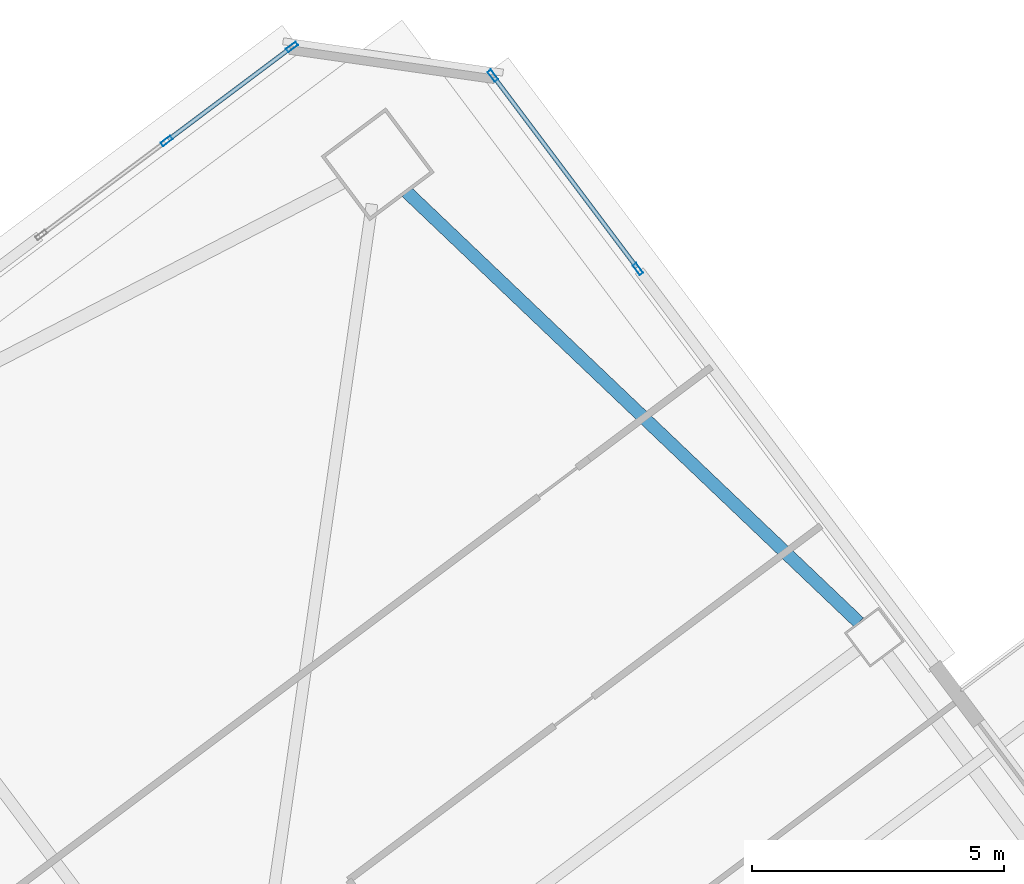
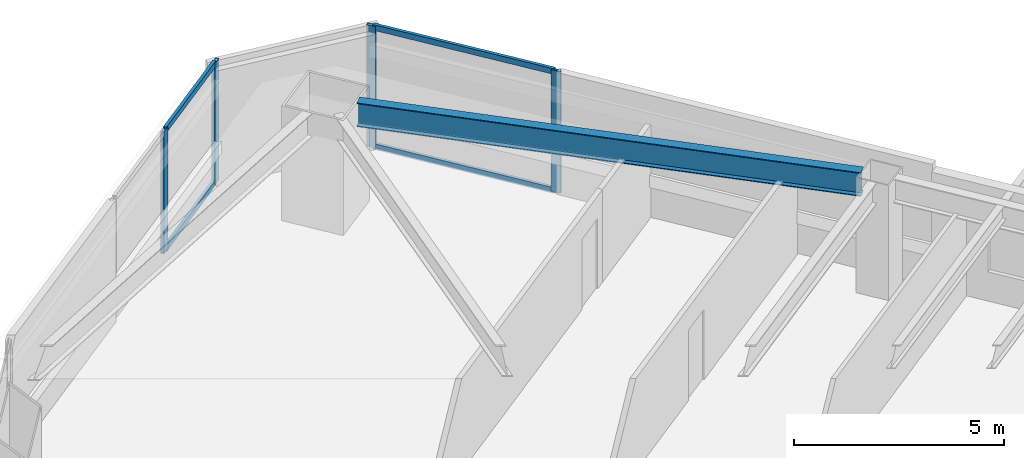
# One storey, part 32 of 47: 8 members, 1 beam, 2 elements without a shape of their own.
"""IFC4 building model written with IfcOpenShell, lengths in metres."""

from ifc_helpers import new_model, si_unit, direction, frame, origin, origin_2d, place, context, subcontext, project, spatial, hollow_rectangle, i_section, extrude, material, material_profile, profile_set, type_object, element, aggregate, save


model = new_model("IFC4")

# Units and contexts
model_context = context("Model", 3, precision=1e-05, world=origin(), true_north=direction((0.0, 1.0)))
body_context = subcontext(model_context, "Body", "Model", "MODEL_VIEW")
ifc_project = project(units=[si_unit("LENGTHUNIT", "METRE"), si_unit("AREAUNIT", "SQUARE_METRE"), si_unit("VOLUMEUNIT", "CUBIC_METRE"), si_unit("PLANEANGLEUNIT", "RADIAN"), si_unit("MASSUNIT", "GRAM", prefix="KILO")], contexts=[model_context])

# Site, building, storey
site_placement = place(None, origin())
site = spatial("IfcSite", under=ifc_project, at=site_placement, CompositionType="ELEMENT")
building_placement = place(site_placement, origin())
building = spatial("IfcBuilding", under=site, at=building_placement, Name="Tashvorn Skyway Center", CompositionType="ELEMENT")
storey_placement = place(building_placement, frame((0.0, 0.0, 42.35009765625)))
storey = spatial("IfcBuildingStorey", under=building, at=storey_placement, Name="L10", CompositionType="ELEMENT", Elevation=42.35009765625)

# Beam
ifc_material_1 = material(Name="Steel ASTM A992 Grade 50", Category="steel")
ifc_material_profile_1 = material_profile(ifc_material_1, i_section(OverallWidth=0.256103515625, OverallDepth=0.693115234375, WebThickness=0.014404296875, FlangeThickness=0.023681640625, at=origin_2d()), Name="W27X114")
ifc_profile_set_1 = profile_set([ifc_material_profile_1], Name="Steel ASTM A992 Grade 50")
beam_type = type_object("IfcBeamType", Name="BM-SPANDREL-W27X114", PredefinedType="SPANDREL", material=ifc_profile_set_1)
beam_placement = place(storey_placement, frame((127.2958984375, 49.23974609375, 3.00341796875), z_axis=(-0.724200339835, 0.689589637236, 0.0), x_axis=(-0.689589637236, -0.724200339835, 0.0)))
element("IfcBeam", 1, at=beam_placement, inside=storey, type_object=beam_type, Name="Tower 2 L10 Spandrel Beam 06", PredefinedType="SPANDREL", context=body_context, shape_type="SweptSolid", body=[
    extrude(i_section(OverallWidth=0.256103515625, OverallDepth=0.693115234375, WebThickness=0.014404296875, FlangeThickness=0.023681640625, at=origin_2d()), origin(), (0.0, 0.0, 1.0), 12.37255859375),
])

# Curtain wall, members
ifc_material_2 = material(Name="Thermally broken bronze-anodized aluminium 6063-T6", Category="aluminium")
curtain_wall_type = type_object("IfcCurtainWallType", Name="CW-CW-Z1", PredefinedType="NOTDEFINED", material=ifc_material_2)
curtain_wall_1_placement = place(storey_placement, origin())
curtain_wall_1 = element("IfcCurtainWall", 2, at=curtain_wall_1_placement, inside=storey, type_object=curtain_wall_type, Name="Tower 2 L10 North Unitised Curtain Wall Glazing Group 3", PredefinedType="NOTDEFINED")
ifc_material_profile_2 = material_profile(ifc_material_2, hollow_rectangle(XDim=0.0849609375, YDim=0.239990234375, WallThickness=0.0048828125, at=origin_2d()), Name="ALU-MULL-85x240")
ifc_profile_set_2 = profile_set([ifc_material_profile_2], Name="Thermally broken bronze-anodized aluminium 6063-T6")
member_type_1 = type_object("IfcMemberType", Name="CWM-CW-Z1", PredefinedType="MULLION", material=ifc_profile_set_2)
member_1_placement = place(storey_placement, frame((113.57861328125, 58.783935546875, 0.0), z_axis=(0.0, 0.0, 1.0), x_axis=(-0.599997457641, 0.800001906763, 0.0)))
member_1 = element("IfcMember", 3, at=member_1_placement, type_object=member_type_1, Name="CW-Z1 mullion 2", PredefinedType="MULLION", context=body_context, shape_type="SweptSolid", body=[
    extrude(hollow_rectangle(XDim=0.0849609375, YDim=0.239990234375, WallThickness=0.0048828125, at=origin_2d()), origin(), (0.0, 0.0, 1.0), 3.5498046875),
])
member_2_placement = place(storey_placement, frame((116.06201171875, 60.646484375, 0.0), z_axis=(0.0, 0.0, 1.0), x_axis=(-0.599997457641, 0.800001906763, 0.0)))
member_2 = element("IfcMember", 4, at=member_2_placement, type_object=member_type_1, Name="CW-Z1 mullion 3", PredefinedType="MULLION", context=body_context, shape_type="SweptSolid", body=[
    extrude(hollow_rectangle(XDim=0.0849609375, YDim=0.239990234375, WallThickness=0.0048828125, at=origin_2d()), origin(), (0.0, 0.0, 1.0), 3.5498046875),
])

curtain_wall_2_placement = place(storey_placement, origin())
curtain_wall_2 = element("IfcCurtainWall", 5, at=curtain_wall_2_placement, inside=storey, type_object=curtain_wall_type, Name="Tower 2 L10 East Curtain Wall L Glazing Group 1", PredefinedType="NOTDEFINED")
member_3_placement = place(storey_placement, frame((120.04150390625, 60.077880859375, 0.0), z_axis=(0.0, 0.0, 1.0), x_axis=(0.799997539287, 0.600003280937, 0.0)))
member_3 = element("IfcMember", 6, at=member_3_placement, type_object=member_type_1, Name="CW-Z1 mullion 1", PredefinedType="MULLION", context=body_context, shape_type="SweptSolid", body=[
    extrude(hollow_rectangle(XDim=0.0849609375, YDim=0.239990234375, WallThickness=0.0048828125, at=origin_2d()), origin(), (0.0, 0.0, 1.0), 3.5498046875),
])
member_4_placement = place(storey_placement, frame((122.91650390625, 56.24462890625, 0.0), z_axis=(0.0, 0.0, 1.0), x_axis=(0.799997539287, 0.600003280937, 0.0)))
member_4 = element("IfcMember", 7, at=member_4_placement, type_object=member_type_1, Name="CW-Z1 mullion 2", PredefinedType="MULLION", context=body_context, shape_type="SweptSolid", body=[
    extrude(hollow_rectangle(XDim=0.0849609375, YDim=0.239990234375, WallThickness=0.0048828125, at=origin_2d()), origin(), (0.0, 0.0, 1.0), 3.5498046875),
])

# Member
ifc_material_profile_3 = material_profile(ifc_material_2, hollow_rectangle(XDim=0.0849609375, YDim=0.1650390625, WallThickness=0.0048828125, at=origin_2d()), Name="ALU-TRAN-85x165")
ifc_profile_set_3 = profile_set([ifc_material_profile_3], Name="Thermally broken bronze-anodized aluminium 6063-T6")
member_type_2 = type_object("IfcMemberType", Name="CWT-CW-Z1", PredefinedType="USERDEFINED", material=ifc_profile_set_3)
member_5_placement = place(storey_placement, frame((113.612548828125, 58.8095703125, 0.04248046875), z_axis=(0.800019405753, 0.599974124791, 0.0), x_axis=(-0.599974124791, 0.800019405753, 0.0)))
member_5 = element("IfcMember", 8, at=member_5_placement, type_object=member_type_2, Name="CW-Z1 transom 2.1", ObjectType="TRANSOM", PredefinedType="USERDEFINED", context=body_context, shape_type="SweptSolid", body=[
    extrude(hollow_rectangle(XDim=0.0849609375, YDim=0.1650390625, WallThickness=0.0048828125, at=origin_2d()), origin(), (0.0, 0.0, 1.0), 3.019287109375),
])

member_6_placement = place(storey_placement, frame((113.612548828125, 58.8095703125, 3.50732421875), z_axis=(0.800019405753, 0.599974124791, 0.0), x_axis=(-0.599974124791, 0.800019405753, 0.0)))
member_6 = element("IfcMember", 9, at=member_6_placement, type_object=member_type_2, Name="CW-Z1 transom 2.2", ObjectType="TRANSOM", PredefinedType="USERDEFINED", context=body_context, shape_type="SweptSolid", body=[
    extrude(hollow_rectangle(XDim=0.0849609375, YDim=0.1650390625, WallThickness=0.0048828125, at=origin_2d()), origin(), (0.0, 0.0, 1.0), 3.019287109375),
])

aggregate(curtain_wall_1, [member_1, member_2, member_5, member_6])

member_7_placement = place(storey_placement, frame((120.06689453125, 60.0439453125, 0.04248046875), z_axis=(0.600049795501, -0.799962650953, 0.0), x_axis=(0.799962650953, 0.600049795501, 0.0)))
member_7 = element("IfcMember", 10, at=member_7_placement, type_object=member_type_2, Name="CW-Z1 transom 1.1", ObjectType="TRANSOM", PredefinedType="USERDEFINED", context=body_context, shape_type="SweptSolid", body=[
    extrude(hollow_rectangle(XDim=0.0849609375, YDim=0.1650390625, WallThickness=0.0048828125, at=origin_2d()), origin(), (0.0, 0.0, 1.0), 4.70654296875),
])

member_8_placement = place(storey_placement, frame((120.06689453125, 60.0439453125, 3.50732421875), z_axis=(0.600049795501, -0.799962650953, 0.0), x_axis=(0.799962650953, 0.600049795501, 0.0)))
member_8 = element("IfcMember", 11, at=member_8_placement, type_object=member_type_2, Name="CW-Z1 transom 1.2", ObjectType="TRANSOM", PredefinedType="USERDEFINED", context=body_context, shape_type="SweptSolid", body=[
    extrude(hollow_rectangle(XDim=0.0849609375, YDim=0.1650390625, WallThickness=0.0048828125, at=origin_2d()), origin(), (0.0, 0.0, 1.0), 4.70654296875),
])

aggregate(curtain_wall_2, [member_3, member_4, member_7, member_8])

save(model, "model.ifc")
